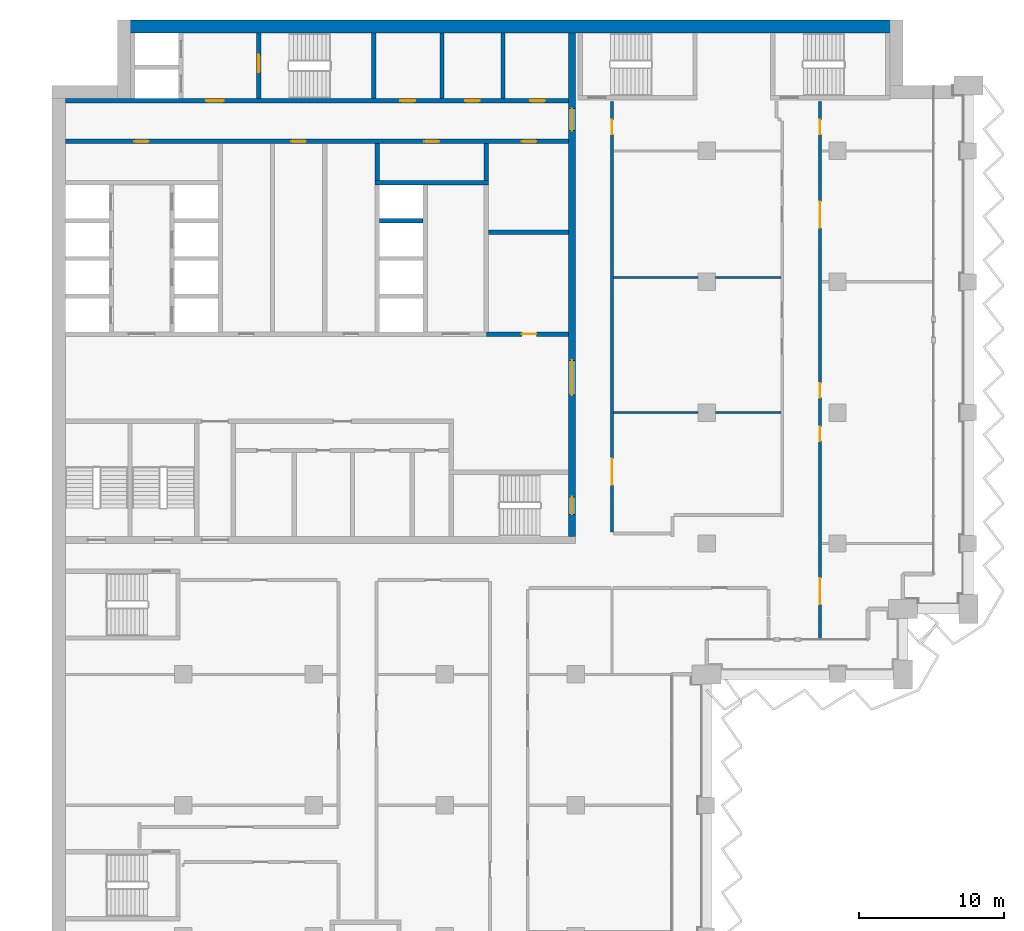
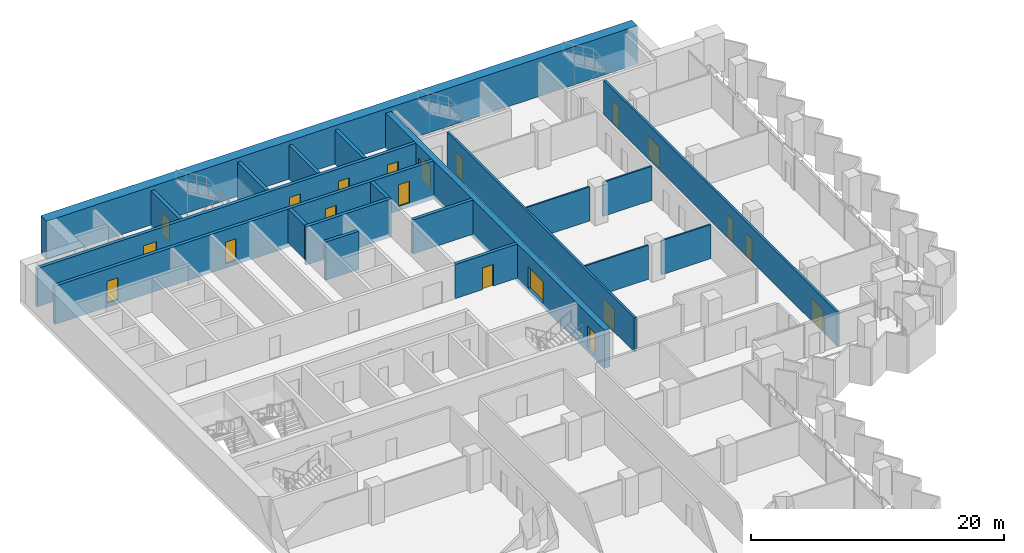
# One storey, part 14 of 23: 20 doors, 20 walls, 20 openings.
"""IFC4 building model written with IfcOpenShell, lengths in metres."""

from ifc_helpers import new_model, si_unit, direction, frame, frame_2d, origin, place, context, subcontext, project, spatial, rectangle, extrude, material, layer, layer_set, type_object, element, fill, save


model = new_model("IFC4")

# Units and contexts
model_context = context("Model", 3, precision=1e-05, world=origin(), true_north=direction((0.0, 1.0)))
body_context = subcontext(model_context, "Body", "Model", "MODEL_VIEW")
ifc_project = project(units=[si_unit("LENGTHUNIT", "METRE"), si_unit("AREAUNIT", "SQUARE_METRE"), si_unit("VOLUMEUNIT", "CUBIC_METRE"), si_unit("PLANEANGLEUNIT", "RADIAN"), si_unit("MASSUNIT", "GRAM", prefix="KILO")], contexts=[model_context])

# Site, building, storey
site_placement = place(None, origin())
site = spatial("IfcSite", under=ifc_project, at=site_placement, CompositionType="ELEMENT")
building_placement = place(site_placement, origin())
building = spatial("IfcBuilding", under=site, at=building_placement, Name="Hunhe Ridgeline Campus", CompositionType="ELEMENT")
storey_placement = place(building_placement, frame((0.0, 0.0, 144.89990234375)))
storey = spatial("IfcBuildingStorey", under=building, at=storey_placement, Name="L36", CompositionType="ELEMENT", Elevation=144.89990234375)

# Wall, opening, door
ifc_material_1 = material(Name="Masonry concrete blockwork", Category="masonry")
ifc_layer_1 = layer(ifc_material_1, 0.300048828125)
ifc_layer_set_1 = layer_set([ifc_layer_1], Name="Core room partition 300 concrete block")
wall_type_1 = type_object("IfcWallType", Name="Core room partition 300 concrete block", PredefinedType="PARTITIONING", material=ifc_layer_set_1)
wall_1_placement = place(storey_placement, frame((29.85009765625, 77.39990234375, 0.0), z_axis=(0.0, 0.0, 1.0), x_axis=(1.0, 0.0, 0.0)))
wall_1 = element("IfcWall", 1, at=wall_1_placement, inside=storey, type_object=wall_type_1, Name="L36 core partition 13", PredefinedType="PARTITIONING", context=body_context, shape_type="SweptSolid", body=[
    extrude(rectangle(XDim=5.64990234375, YDim=0.300048828125, at=frame_2d((2.824951171875, 0.0))), origin(), (0.0, 0.0, 1.0), 3.300048828125),
])
opening_1_placement = place(wall_1_placement, frame((2.449951171875, 0.0, 0.0)))
opening_1 = element("IfcOpeningElement", 2, at=opening_1_placement, cuts=wall_1, Name="Opening CD32", PredefinedType="OPENING", context=body_context, shape_type="SweptSolid", body=[
    extrude(rectangle(XDim=1.0, YDim=2.10009765625, at=frame_2d((0.5, 1.050048828125))), frame((0.0, 0.14990234375, 0.0), z_axis=(0.0, -1.0, 0.0), x_axis=(1.0, 0.0, 0.0)), (0.0, 0.0, 1.0), 0.300048828125),
])
ifc_material_2 = material(Name="Solid core timber door leaf", Category="wood")
door_type_1 = type_object("IfcDoorType", Name="Timber door 1000x2100", OperationType="SINGLE_SWING_LEFT", PredefinedType="DOOR", material=ifc_material_2)
door_1_placement = place(opening_1_placement, origin())
door_1 = element("IfcDoor", 3, at=door_1_placement, inside=storey, type_object=door_type_1, Name="L36 door ES0", OperationType="SINGLE_SWING_RIGHT", OverallHeight=2.10009765625, OverallWidth=1.0, PredefinedType="DOOR", context=body_context, shape_type="SweptSolid", body=[
    extrude(rectangle(XDim=1.0, YDim=2.10009765625, at=frame_2d((0.5, 1.050048828125))), frame((0.0, 0.02490234375, 0.0), z_axis=(0.0, -1.0, 0.0), x_axis=(1.0, 0.0, 0.0)), (0.0, 0.0, 1.0), 0.050048828125),
])
fill(opening_1, door_1)

# Walls
wall_2_placement = place(storey_placement, frame((30.0, 84.39990234375, 0.0), z_axis=(0.0, 0.0, 1.0), x_axis=(1.0, 0.0, 0.0)))
element("IfcWall", 4, at=wall_2_placement, inside=storey, type_object=wall_type_1, Name="L36 core partition 20", PredefinedType="PARTITIONING", context=body_context, shape_type="SweptSolid", body=[
    extrude(rectangle(XDim=5.5, YDim=0.300048828125, at=frame_2d((2.75, 0.0))), origin(), (0.0, 0.0, 1.0), 3.300048828125),
])
wall_3_placement = place(storey_placement, frame((22.35009765625, 87.949951171875, 0.0), z_axis=(0.0, 0.0, 1.0), x_axis=(0.0, 1.0, 0.0)))
element("IfcWall", 5, at=wall_3_placement, inside=storey, type_object=wall_type_1, Name="L36 core partition 50", PredefinedType="PARTITIONING", context=body_context, shape_type="SweptSolid", body=[
    extrude(rectangle(XDim=2.550048828125, YDim=0.300048828125, at=frame_2d((1.27490234375, 0.0))), origin(), (0.0, 0.0, 1.0), 3.300048828125),
])
wall_4_placement = place(storey_placement, frame((26.800048828125, 93.60009765625, 0.0), z_axis=(0.0, 0.0, 1.0), x_axis=(0.0, 1.0, 0.0)))
element("IfcWall", 6, at=wall_4_placement, inside=storey, type_object=wall_type_1, Name="L36 core partition 54", PredefinedType="PARTITIONING", context=body_context, shape_type="SweptSolid", body=[
    extrude(rectangle(XDim=4.5, YDim=0.300048828125, at=frame_2d((2.25, 0.0))), origin(), (0.0, 0.0, 1.0), 3.300048828125),
])
wall_5_placement = place(storey_placement, frame((29.85009765625, 87.949951171875, 0.0), z_axis=(0.0, 0.0, 1.0), x_axis=(0.0, 1.0, 0.0)))
element("IfcWall", 7, at=wall_5_placement, inside=storey, type_object=wall_type_1, Name="L36 core partition 58", PredefinedType="PARTITIONING", context=body_context, shape_type="SweptSolid", body=[
    extrude(rectangle(XDim=2.550048828125, YDim=0.300048828125, at=frame_2d((1.27490234375, 0.0))), origin(), (0.0, 0.0, 1.0), 3.300048828125),
])
wall_6_placement = place(storey_placement, frame((31.0, 93.60009765625, 0.0), z_axis=(0.0, 0.0, 1.0), x_axis=(0.0, 1.0, 0.0)))
element("IfcWall", 8, at=wall_6_placement, inside=storey, type_object=wall_type_1, Name="L36 core partition 59", PredefinedType="PARTITIONING", context=body_context, shape_type="SweptSolid", body=[
    extrude(rectangle(XDim=4.5, YDim=0.300048828125, at=frame_2d((2.25, 0.0))), origin(), (0.0, 0.0, 1.0), 3.300048828125),
])

# Wall, openings, doors
ifc_material_3 = material(Name="Concrete C70", Category="concrete")
ifc_layer_2 = layer(ifc_material_3, 0.5)
ifc_layer_set_2 = layer_set([ifc_layer_2], Name="Core wall 500 reinforced concrete C70")
wall_type_2 = type_object("IfcWallType", Name="Core wall 500 reinforced concrete C70", PredefinedType="SOLIDWALL", material=ifc_layer_set_2)
wall_7_placement = place(storey_placement, frame((35.75, 63.5, -0.39990234375), z_axis=(0.0, 0.0, 1.0), x_axis=(0.0, 1.0, 0.0)))
wall_7 = element("IfcWall", 9, at=wall_7_placement, inside=storey, type_object=wall_type_2, Name="L36 core wall 60", PredefinedType="SOLIDWALL", context=body_context, shape_type="SweptSolid", body=[
    extrude(rectangle(XDim=34.60009765625, YDim=0.5, at=frame_2d((17.300048828125, 0.0))), origin(), (0.0, 0.0, 1.0), 3.699951171875),
])
opening_2_placement = place(wall_7_placement, frame((9.699951171875, 0.0, 0.39990234375)))
opening_2 = element("IfcOpeningElement", 10, at=opening_2_placement, cuts=wall_7, Name="Opening CD4", PredefinedType="OPENING", context=body_context, shape_type="SweptSolid", body=[
    extrude(rectangle(XDim=2.39990234375, YDim=2.10009765625, at=frame_2d((1.199951171875, 1.050048828125))), frame((0.0, 0.25, 0.0), z_axis=(0.0, -1.0, 0.0), x_axis=(1.0, 0.0, 0.0)), (0.0, 0.0, 1.0), 0.5),
])
opening_3_placement = place(wall_7_placement, frame((27.89990234375, 0.0, 0.39990234375)))
opening_3 = element("IfcOpeningElement", 11, at=opening_3_placement, cuts=wall_7, Name="Opening CD5", PredefinedType="OPENING", context=body_context, shape_type="SweptSolid", body=[
    extrude(rectangle(XDim=1.5, YDim=2.10009765625, at=frame_2d((0.75, 1.050048828125))), frame((0.0, 0.25, 0.0), z_axis=(0.0, -1.0, 0.0), x_axis=(1.0, 0.0, 0.0)), (0.0, 0.0, 1.0), 0.5),
])
opening_4_placement = place(wall_7_placement, frame((1.5, 0.0, 0.39990234375)))
opening_4 = element("IfcOpeningElement", 12, at=opening_4_placement, cuts=wall_7, Name="Opening CD15", PredefinedType="OPENING", context=body_context, shape_type="SweptSolid", body=[
    extrude(rectangle(XDim=1.199951171875, YDim=2.10009765625, at=frame_2d((0.60009765625, 1.050048828125))), frame((0.0, 0.25, 0.0), z_axis=(0.0, -1.0, 0.0), x_axis=(1.0, 0.0, 0.0)), (0.0, 0.0, 1.0), 0.5),
])
ifc_material_4 = material(Name="Anodised aluminium and glass", Category="aluminium")
door_type_2 = type_object("IfcDoorType", Name="Glazed double door 2400x2100", OperationType="DOUBLE_DOOR_SINGLE_SWING", PredefinedType="DOOR", material=ifc_material_4)
door_2_placement = place(opening_2_placement, frame((2.39990234375, 0.0, 0.0), z_axis=(0.0, 0.0, 1.0), x_axis=(-1.0, 0.0, 0.0)))
door_2 = element("IfcDoor", 13, at=door_2_placement, inside=storey, type_object=door_type_2, Name="L36 door HALL-FLOOR", OperationType="DOUBLE_DOOR_SINGLE_SWING", OverallHeight=2.10009765625, OverallWidth=2.39990234375, PredefinedType="DOOR", context=body_context, shape_type="SweptSolid", body=[
    extrude(rectangle(XDim=2.39990234375, YDim=2.10009765625, at=frame_2d((1.199951171875, 1.050048828125))), frame((0.0, 0.02490234375, 0.0), z_axis=(0.0, -1.0, 0.0), x_axis=(1.0, 0.0, 0.0)), (0.0, 0.0, 1.0), 0.050048828125),
])
fill(opening_2, door_2)
ifc_material_5 = material(Name="Hollow metal fire door leaf")
door_type_3 = type_object("IfcDoorType", Name="Stair door 1200x2100 FD60", OperationType="SINGLE_SWING_LEFT", PredefinedType="DOOR", material=ifc_material_5)
door_3_placement = place(opening_4_placement, frame((1.199951171875, 0.0, 0.0), z_axis=(0.0, 0.0, 1.0), x_axis=(-1.0, 0.0, 0.0)))
door_3 = element("IfcDoor", 14, at=door_3_placement, inside=storey, type_object=door_type_3, Name="L36 door S2-FLOOR", OperationType="SINGLE_SWING_RIGHT", OverallHeight=2.10009765625, OverallWidth=1.199951171875, PredefinedType="DOOR", context=body_context, shape_type="SweptSolid", body=[
    extrude(rectangle(XDim=1.199951171875, YDim=2.10009765625, at=frame_2d((0.60009765625, 1.050048828125))), frame((0.0, 0.02490234375, 0.0), z_axis=(0.0, -1.0, 0.0), x_axis=(1.0, 0.0, 0.0)), (0.0, 0.0, 1.0), 0.050048828125),
])
fill(opening_4, door_3)
door_type_4 = type_object("IfcDoorType", Name="Timber door 1500x2100", OperationType="SINGLE_SWING_LEFT", PredefinedType="DOOR", material=ifc_material_2)
door_4_placement = place(opening_3_placement, frame((1.5, 0.0, 0.0), z_axis=(0.0, 0.0, 1.0), x_axis=(-1.0, 0.0, 0.0)))
door_4 = element("IfcDoor", 15, at=door_4_placement, inside=storey, type_object=door_type_4, Name="L36 door C1-FLOOR", OperationType="SINGLE_SWING_RIGHT", OverallHeight=2.10009765625, OverallWidth=1.5, PredefinedType="DOOR", context=body_context, shape_type="SweptSolid", body=[
    extrude(rectangle(XDim=1.5, YDim=2.10009765625, at=frame_2d((0.75, 1.050048828125))), frame((0.0, 0.02490234375, 0.0), z_axis=(0.0, -1.0, 0.0), x_axis=(1.0, 0.0, 0.0)), (0.0, 0.0, 1.0), 0.050048828125),
])
fill(opening_3, door_4)

ifc_material_6 = material(Name="Gypsum board partition")
ifc_layer_3 = layer(ifc_material_6, 0.199951171875)
ifc_layer_set_3 = layer_set([ifc_layer_3], Name="Corridor partition 200 gypsum board on steel studs")
wall_type_3 = type_object("IfcWallType", Name="Corridor partition 200 gypsum board on steel studs", PredefinedType="PARTITIONING", material=ifc_layer_set_3)
wall_8_placement = place(storey_placement, frame((38.5, 93.39599609375, 0.0), z_axis=(0.0, 0.0, 1.0), x_axis=(0.0, -1.0, 0.0)))
wall_8 = element("IfcWall", 16, at=wall_8_placement, inside=storey, type_object=wall_type_3, Name="F-L36-wall-070", PredefinedType="PARTITIONING", context=body_context, shape_type="SweptSolid", body=[
    extrude(rectangle(XDim=29.595947265625, YDim=0.199951171875, at=frame_2d((14.7978515625, 0.0))), origin(), (0.0, 0.0, 1.0), 3.300048828125),
])
opening_5_placement = place(wall_8_placement, frame((24.5576171875, 0.0, 0.0)))
opening_5 = element("IfcOpeningElement", 17, at=opening_5_placement, cuts=wall_8, Name="Opening RD2-028", PredefinedType="OPENING", context=body_context, shape_type="SweptSolid", body=[
    extrude(rectangle(XDim=1.800048828125, YDim=2.10009765625, at=frame_2d((0.89990234375, 1.050048828125))), frame((0.0, 0.10009765625, 0.0), z_axis=(0.0, -1.0, 0.0), x_axis=(1.0, 0.0, 0.0)), (0.0, 0.0, 1.0), 0.199951171875),
])
opening_6_placement = place(wall_8_placement, frame((1.255615234375, 0.0, 0.0)))
opening_6 = element("IfcOpeningElement", 18, at=opening_6_placement, cuts=wall_8, Name="Opening RD1-036", PredefinedType="OPENING", context=body_context, shape_type="SweptSolid", body=[
    extrude(rectangle(XDim=1.0, YDim=2.10009765625, at=frame_2d((0.5, 1.050048828125))), frame((0.0, 0.10009765625, 0.0), z_axis=(0.0, -1.0, 0.0), x_axis=(1.0, 0.0, 0.0)), (0.0, 0.0, 1.0), 0.199951171875),
])
ifc_material_7 = material(Name="Timber door leaf", Category="wood")
door_type_5 = type_object("IfcDoorType", Name="Double fire door 1800x2100 timber FD60", OperationType="DOUBLE_DOOR_SINGLE_SWING", PredefinedType="DOOR", material=ifc_material_7)
door_5_placement = place(opening_5_placement, origin())
door_5 = element("IfcDoor", 19, at=door_5_placement, inside=storey, type_object=door_type_5, Name="F-L36-door-028", OperationType="DOUBLE_DOOR_SINGLE_SWING", OverallHeight=2.10009765625, OverallWidth=1.800048828125, PredefinedType="DOOR", context=body_context, shape_type="SweptSolid", body=[
    extrude(rectangle(XDim=1.800048828125, YDim=2.10009765625, at=frame_2d((0.89990234375, 1.050048828125))), frame((0.0, 0.02490234375, 0.0), z_axis=(0.0, -1.0, 0.0), x_axis=(1.0, 0.0, 0.0)), (0.0, 0.0, 1.0), 0.050048828125),
])
fill(opening_5, door_5)
door_type_6 = type_object("IfcDoorType", Name="Single fire door 1000x2100 timber FD60", OperationType="NOTDEFINED", PredefinedType="DOOR", material=ifc_material_7)
door_6_placement = place(opening_6_placement, origin())
door_6 = element("IfcDoor", 20, at=door_6_placement, inside=storey, type_object=door_type_6, Name="F-L36-door-036", OperationType="SINGLE_SWING_LEFT", OverallHeight=2.10009765625, OverallWidth=1.0, PredefinedType="DOOR", context=body_context, shape_type="SweptSolid", body=[
    extrude(rectangle(XDim=1.0, YDim=2.10009765625, at=frame_2d((0.5, 1.050048828125))), frame((0.0, 0.02490234375, 0.0), z_axis=(0.0, -1.0, 0.0), x_axis=(1.0, 0.0, 0.0)), (0.0, 0.0, 1.0), 0.050048828125),
])
fill(opening_6, door_6)

wall_9_placement = place(storey_placement, frame((52.800048828125, 93.39599609375, 0.0), z_axis=(0.0, 0.0, 1.0), x_axis=(0.0, -1.0, 0.0)))
wall_9 = element("IfcWall", 21, at=wall_9_placement, inside=storey, type_object=wall_type_3, Name="F-L36-wall-076", PredefinedType="PARTITIONING", context=body_context, shape_type="SweptSolid", body=[
    extrude(rectangle(XDim=36.94091796875, YDim=0.199951171875, at=frame_2d((18.470458984375, 0.0))), origin(), (0.0, 0.0, 1.0), 3.300048828125),
])
opening_7_placement = place(wall_9_placement, frame((32.774169921875, 0.0, 0.0)))
opening_7 = element("IfcOpeningElement", 22, at=opening_7_placement, cuts=wall_9, Name="Opening RD2-024", PredefinedType="OPENING", context=body_context, shape_type="SweptSolid", body=[
    extrude(rectangle(XDim=1.800048828125, YDim=2.10009765625, at=frame_2d((0.89990234375, 1.050048828125))), frame((0.0, 0.10009765625, 0.0), z_axis=(0.0, -1.0, 0.0), x_axis=(1.0, 0.0, 0.0)), (0.0, 0.0, 1.0), 0.199951171875),
])
opening_8_placement = place(wall_9_placement, frame((22.3603515625, 0.0, 0.0)))
opening_8 = element("IfcOpeningElement", 23, at=opening_8_placement, cuts=wall_9, Name="Opening RD1-029", PredefinedType="OPENING", context=body_context, shape_type="SweptSolid", body=[
    extrude(rectangle(XDim=1.0, YDim=2.10009765625, at=frame_2d((0.5, 1.050048828125))), frame((0.0, 0.10009765625, 0.0), z_axis=(0.0, -1.0, 0.0), x_axis=(1.0, 0.0, 0.0)), (0.0, 0.0, 1.0), 0.199951171875),
])
opening_9_placement = place(wall_9_placement, frame((19.3603515625, 0.0, 0.0)))
opening_9 = element("IfcOpeningElement", 24, at=opening_9_placement, cuts=wall_9, Name="Opening RD1-030", PredefinedType="OPENING", context=body_context, shape_type="SweptSolid", body=[
    extrude(rectangle(XDim=1.0, YDim=2.10009765625, at=frame_2d((0.5, 1.050048828125))), frame((0.0, 0.10009765625, 0.0), z_axis=(0.0, -1.0, 0.0), x_axis=(1.0, 0.0, 0.0)), (0.0, 0.0, 1.0), 0.199951171875),
])
opening_10_placement = place(wall_9_placement, frame((6.890380859375, 0.0, 0.0)))
opening_10 = element("IfcOpeningElement", 25, at=opening_10_placement, cuts=wall_9, Name="Opening RD2-034", PredefinedType="OPENING", context=body_context, shape_type="SweptSolid", body=[
    extrude(rectangle(XDim=1.800048828125, YDim=2.10009765625, at=frame_2d((0.89990234375, 1.050048828125))), frame((0.0, 0.10009765625, 0.0), z_axis=(0.0, -1.0, 0.0), x_axis=(1.0, 0.0, 0.0)), (0.0, 0.0, 1.0), 0.199951171875),
])
opening_11_placement = place(wall_9_placement, frame((1.259033203125, 0.0, 0.0)))
opening_11 = element("IfcOpeningElement", 26, at=opening_11_placement, cuts=wall_9, Name="Opening RD1-037", PredefinedType="OPENING", context=body_context, shape_type="SweptSolid", body=[
    extrude(rectangle(XDim=1.0, YDim=2.10009765625, at=frame_2d((0.5, 1.050048828125))), frame((0.0, 0.10009765625, 0.0), z_axis=(0.0, -1.0, 0.0), x_axis=(1.0, 0.0, 0.0)), (0.0, 0.0, 1.0), 0.199951171875),
])
door_7_placement = place(opening_7_placement, origin())
door_7 = element("IfcDoor", 27, at=door_7_placement, inside=storey, type_object=door_type_5, Name="F-L36-door-024", OperationType="DOUBLE_DOOR_SINGLE_SWING", OverallHeight=2.10009765625, OverallWidth=1.800048828125, PredefinedType="DOOR", context=body_context, shape_type="SweptSolid", body=[
    extrude(rectangle(XDim=1.800048828125, YDim=2.10009765625, at=frame_2d((0.89990234375, 1.050048828125))), frame((0.0, 0.02490234375, 0.0), z_axis=(0.0, -1.0, 0.0), x_axis=(1.0, 0.0, 0.0)), (0.0, 0.0, 1.0), 0.050048828125),
])
fill(opening_7, door_7)
door_8_placement = place(opening_10_placement, origin())
door_8 = element("IfcDoor", 28, at=door_8_placement, inside=storey, type_object=door_type_5, Name="F-L36-door-034", OperationType="DOUBLE_DOOR_SINGLE_SWING", OverallHeight=2.10009765625, OverallWidth=1.800048828125, PredefinedType="DOOR", context=body_context, shape_type="SweptSolid", body=[
    extrude(rectangle(XDim=1.800048828125, YDim=2.10009765625, at=frame_2d((0.89990234375, 1.050048828125))), frame((0.0, 0.02490234375, 0.0), z_axis=(0.0, -1.0, 0.0), x_axis=(1.0, 0.0, 0.0)), (0.0, 0.0, 1.0), 0.050048828125),
])
fill(opening_10, door_8)
door_9_placement = place(opening_8_placement, frame((1.0, 0.0, 0.0), z_axis=(0.0, 0.0, 1.0), x_axis=(-1.0, 0.0, 0.0)))
door_9 = element("IfcDoor", 29, at=door_9_placement, inside=storey, type_object=door_type_6, Name="F-L36-door-029", OperationType="SINGLE_SWING_LEFT", OverallHeight=2.10009765625, OverallWidth=1.0, PredefinedType="DOOR", context=body_context, shape_type="SweptSolid", body=[
    extrude(rectangle(XDim=1.0, YDim=2.10009765625, at=frame_2d((0.5, 1.050048828125))), frame((0.0, 0.02490234375, 0.0), z_axis=(0.0, -1.0, 0.0), x_axis=(1.0, 0.0, 0.0)), (0.0, 0.0, 1.0), 0.050048828125),
])
fill(opening_8, door_9)
door_10_placement = place(opening_9_placement, frame((1.0, 0.0, 0.0), z_axis=(0.0, 0.0, 1.0), x_axis=(-1.0, 0.0, 0.0)))
door_10 = element("IfcDoor", 30, at=door_10_placement, inside=storey, type_object=door_type_6, Name="F-L36-door-030", OperationType="SINGLE_SWING_RIGHT", OverallHeight=2.10009765625, OverallWidth=1.0, PredefinedType="DOOR", context=body_context, shape_type="SweptSolid", body=[
    extrude(rectangle(XDim=1.0, YDim=2.10009765625, at=frame_2d((0.5, 1.050048828125))), frame((0.0, 0.02490234375, 0.0), z_axis=(0.0, -1.0, 0.0), x_axis=(1.0, 0.0, 0.0)), (0.0, 0.0, 1.0), 0.050048828125),
])
fill(opening_9, door_10)
door_11_placement = place(opening_11_placement, origin())
door_11 = element("IfcDoor", 31, at=door_11_placement, inside=storey, type_object=door_type_6, Name="F-L36-door-037", OperationType="SINGLE_SWING_RIGHT", OverallHeight=2.10009765625, OverallWidth=1.0, PredefinedType="DOOR", context=body_context, shape_type="SweptSolid", body=[
    extrude(rectangle(XDim=1.0, YDim=2.10009765625, at=frame_2d((0.5, 1.050048828125))), frame((0.0, 0.02490234375, 0.0), z_axis=(0.0, -1.0, 0.0), x_axis=(1.0, 0.0, 0.0)), (0.0, 0.0, 1.0), 0.050048828125),
])
fill(opening_11, door_11)

ifc_layer_4 = layer(ifc_material_3, 0.300048828125)
ifc_layer_set_4 = layer_set([ifc_layer_4], Name="Lobby wall 300 reinforced concrete C70")
wall_type_4 = type_object("IfcWallType", Name="Lobby wall 300 reinforced concrete C70", PredefinedType="SOLIDWALL", material=ifc_layer_set_4)
wall_10_placement = place(storey_placement, frame((0.89990234375, 90.64990234375, -0.39990234375), z_axis=(0.0, 0.0, 1.0), x_axis=(1.0, 0.0, 0.0)))
wall_10 = element("IfcWall", 32, at=wall_10_placement, inside=storey, type_object=wall_type_4, Name="L36 core wall 26", PredefinedType="SOLIDWALL", context=body_context, shape_type="SweptSolid", body=[
    extrude(rectangle(XDim=34.60009765625, YDim=0.300048828125, at=frame_2d((17.300048828125, 0.0))), origin(), (0.0, 0.0, 1.0), 3.699951171875),
])
opening_12_placement = place(wall_10_placement, frame((4.75, 0.0, 0.39990234375)))
opening_12 = element("IfcOpeningElement", 33, at=opening_12_placement, cuts=wall_10, Name="Opening CD26", PredefinedType="OPENING", context=body_context, shape_type="SweptSolid", body=[
    extrude(rectangle(XDim=1.0, YDim=2.10009765625, at=frame_2d((0.5, 1.050048828125))), frame((0.0, 0.14990234375, 0.0), z_axis=(0.0, -1.0, 0.0), x_axis=(1.0, 0.0, 0.0)), (0.0, 0.0, 1.0), 0.300048828125),
])
opening_13_placement = place(wall_10_placement, frame((24.699951171875, 0.0, 0.39990234375)))
opening_13 = element("IfcOpeningElement", 34, at=opening_13_placement, cuts=wall_10, Name="Opening CD27", PredefinedType="OPENING", context=body_context, shape_type="SweptSolid", body=[
    extrude(rectangle(XDim=1.0, YDim=2.10009765625, at=frame_2d((0.5, 1.050048828125))), frame((0.0, 0.14990234375, 0.0), z_axis=(0.0, -1.0, 0.0), x_axis=(1.0, 0.0, 0.0)), (0.0, 0.0, 1.0), 0.300048828125),
])
opening_14_placement = place(wall_10_placement, frame((15.550048828125, 0.0, 0.39990234375)))
opening_14 = element("IfcOpeningElement", 35, at=opening_14_placement, cuts=wall_10, Name="Opening CD29", PredefinedType="OPENING", context=body_context, shape_type="SweptSolid", body=[
    extrude(rectangle(XDim=1.0, YDim=2.10009765625, at=frame_2d((0.5, 1.050048828125))), frame((0.0, 0.14990234375, 0.0), z_axis=(0.0, -1.0, 0.0), x_axis=(1.0, 0.0, 0.0)), (0.0, 0.0, 1.0), 0.300048828125),
])
opening_15_placement = place(wall_10_placement, frame((31.39990234375, 0.0, 0.39990234375)))
opening_15 = element("IfcOpeningElement", 36, at=opening_15_placement, cuts=wall_10, Name="Opening CD33", PredefinedType="OPENING", context=body_context, shape_type="SweptSolid", body=[
    extrude(rectangle(XDim=1.0, YDim=2.10009765625, at=frame_2d((0.5, 1.050048828125))), frame((0.0, 0.14990234375, 0.0), z_axis=(0.0, -1.0, 0.0), x_axis=(1.0, 0.0, 0.0)), (0.0, 0.0, 1.0), 0.300048828125),
])
door_12_placement = place(opening_12_placement, frame((1.0, 0.0, 0.0), z_axis=(0.0, 0.0, 1.0), x_axis=(-1.0, 0.0, 0.0)))
door_12 = element("IfcDoor", 37, at=door_12_placement, inside=storey, type_object=door_type_1, Name="L36 door NR-0", OperationType="SINGLE_SWING_LEFT", OverallHeight=2.10009765625, OverallWidth=1.0, PredefinedType="DOOR", context=body_context, shape_type="SweptSolid", body=[
    extrude(rectangle(XDim=1.0, YDim=2.10009765625, at=frame_2d((0.5, 1.050048828125))), frame((0.0, 0.02490234375, 0.0), z_axis=(0.0, -1.0, 0.0), x_axis=(1.0, 0.0, 0.0)), (0.0, 0.0, 1.0), 0.050048828125),
])
fill(opening_12, door_12)
door_13_placement = place(opening_13_placement, frame((1.0, 0.0, 0.0), z_axis=(0.0, 0.0, 1.0), x_axis=(-1.0, 0.0, 0.0)))
door_13 = element("IfcDoor", 38, at=door_13_placement, inside=storey, type_object=door_type_1, Name="L36 door NR-1", OperationType="SINGLE_SWING_RIGHT", OverallHeight=2.10009765625, OverallWidth=1.0, PredefinedType="DOOR", context=body_context, shape_type="SweptSolid", body=[
    extrude(rectangle(XDim=1.0, YDim=2.10009765625, at=frame_2d((0.5, 1.050048828125))), frame((0.0, 0.02490234375, 0.0), z_axis=(0.0, -1.0, 0.0), x_axis=(1.0, 0.0, 0.0)), (0.0, 0.0, 1.0), 0.050048828125),
])
fill(opening_13, door_13)
door_14_placement = place(opening_14_placement, frame((1.0, 0.0, 0.0), z_axis=(0.0, 0.0, 1.0), x_axis=(-1.0, 0.0, 0.0)))
door_14 = element("IfcDoor", 39, at=door_14_placement, inside=storey, type_object=door_type_1, Name="L36 door VD-HR1", OperationType="SINGLE_SWING_RIGHT", OverallHeight=2.10009765625, OverallWidth=1.0, PredefinedType="DOOR", context=body_context, shape_type="SweptSolid", body=[
    extrude(rectangle(XDim=1.0, YDim=2.10009765625, at=frame_2d((0.5, 1.050048828125))), frame((0.0, 0.02490234375, 0.0), z_axis=(0.0, -1.0, 0.0), x_axis=(1.0, 0.0, 0.0)), (0.0, 0.0, 1.0), 0.050048828125),
])
fill(opening_14, door_14)
door_15_placement = place(opening_15_placement, frame((1.0, 0.0, 0.0), z_axis=(0.0, 0.0, 1.0), x_axis=(-1.0, 0.0, 0.0)))
door_15 = element("IfcDoor", 40, at=door_15_placement, inside=storey, type_object=door_type_1, Name="L36 door ES1", OperationType="SINGLE_SWING_RIGHT", OverallHeight=2.10009765625, OverallWidth=1.0, PredefinedType="DOOR", context=body_context, shape_type="SweptSolid", body=[
    extrude(rectangle(XDim=1.0, YDim=2.10009765625, at=frame_2d((0.5, 1.050048828125))), frame((0.0, 0.02490234375, 0.0), z_axis=(0.0, -1.0, 0.0), x_axis=(1.0, 0.0, 0.0)), (0.0, 0.0, 1.0), 0.050048828125),
])
fill(opening_15, door_15)

# Walls
ifc_layer_5 = layer(ifc_material_6, 0.14990234375)
ifc_layer_set_5 = layer_set([ifc_layer_5], Name="Room partition 150 gypsum board on steel studs")
wall_type_5 = type_object("IfcWallType", Name="Room partition 150 gypsum board on steel studs", PredefinedType="PARTITIONING", material=ifc_layer_set_5)
wall_11_placement = place(storey_placement, frame((38.60009765625, 72.0, 0.0), z_axis=(0.0, 0.0, 1.0), x_axis=(1.0, 0.0, 0.0)))
element("IfcWall", 41, at=wall_11_placement, inside=storey, type_object=wall_type_5, Name="F-L36-wall-048", PredefinedType="PARTITIONING", context=body_context, shape_type="SweptSolid", body=[
    extrude(rectangle(XDim=5.7998046875, YDim=0.14990234375, at=frame_2d((2.89990234375, 0.0))), origin(), (0.0, 0.0, 1.0), 3.300048828125),
])
wall_12_placement = place(storey_placement, frame((45.60009765625, 72.0, 0.0), z_axis=(0.0, 0.0, 1.0), x_axis=(1.0, 0.0, 0.0)))
element("IfcWall", 42, at=wall_12_placement, inside=storey, type_object=wall_type_5, Name="F-L36-wall-049", PredefinedType="PARTITIONING", context=body_context, shape_type="SweptSolid", body=[
    extrude(rectangle(XDim=4.5, YDim=0.14990234375, at=frame_2d((2.25, 0.0))), origin(), (0.0, 0.0, 1.0), 3.300048828125),
])
wall_13_placement = place(storey_placement, frame((38.60009765625, 81.300048828125, 0.0), z_axis=(0.0, 0.0, 1.0), x_axis=(1.0, 0.0, 0.0)))
element("IfcWall", 43, at=wall_13_placement, inside=storey, type_object=wall_type_5, Name="F-L36-wall-052", PredefinedType="PARTITIONING", context=body_context, shape_type="SweptSolid", body=[
    extrude(rectangle(XDim=5.7998046875, YDim=0.14990234375, at=frame_2d((2.89990234375, 0.0))), origin(), (0.0, 0.0, 1.0), 3.300048828125),
])
wall_14_placement = place(storey_placement, frame((45.60009765625, 81.300048828125, 0.0), z_axis=(0.0, 0.0, 1.0), x_axis=(1.0, 0.0, 0.0)))
element("IfcWall", 44, at=wall_14_placement, inside=storey, type_object=wall_type_5, Name="F-L36-wall-053", PredefinedType="PARTITIONING", context=body_context, shape_type="SweptSolid", body=[
    extrude(rectangle(XDim=4.5, YDim=0.14990234375, at=frame_2d((2.25, 0.0))), origin(), (0.0, 0.0, 1.0), 3.300048828125),
])
ifc_layer_6 = layer(ifc_material_3, 0.300048828125)
ifc_layer_set_6 = layer_set([ifc_layer_6], Name="Shaft wall 300 reinforced concrete C70")
wall_type_6 = type_object("IfcWallType", Name="Shaft wall 300 reinforced concrete C70", PredefinedType="SOLIDWALL", material=ifc_layer_set_6)
wall_15_placement = place(storey_placement, frame((22.5, 85.199951171875, -0.39990234375), z_axis=(0.0, 0.0, 1.0), x_axis=(1.0, 0.0, 0.0)))
element("IfcWall", 45, at=wall_15_placement, inside=storey, type_object=wall_type_6, Name="L36 core wall 23", PredefinedType="SOLIDWALL", context=body_context, shape_type="SweptSolid", body=[
    extrude(rectangle(XDim=3.0, YDim=0.300048828125, at=frame_2d((1.5, 0.0))), origin(), (0.0, 0.0, 1.0), 3.699951171875),
])
wall_16_placement = place(storey_placement, frame((22.199951171875, 87.800048828125, -0.39990234375), z_axis=(0.0, 0.0, 1.0), x_axis=(1.0, 0.0, 0.0)))
element("IfcWall", 46, at=wall_16_placement, inside=storey, type_object=wall_type_6, Name="L36 core wall 25", PredefinedType="SOLIDWALL", context=body_context, shape_type="SweptSolid", body=[
    extrude(rectangle(XDim=7.800048828125, YDim=0.300048828125, at=frame_2d((3.89990234375, 0.0))), origin(), (0.0, 0.0, 1.0), 3.699951171875),
])

# Wall, openings, doors
wall_17_placement = place(storey_placement, frame((0.89990234375, 93.449951171875, -0.39990234375), z_axis=(0.0, 0.0, 1.0), x_axis=(1.0, 0.0, 0.0)))
wall_17 = element("IfcWall", 47, at=wall_17_placement, inside=storey, type_object=wall_type_6, Name="L36 core wall 27", PredefinedType="SOLIDWALL", context=body_context, shape_type="SweptSolid", body=[
    extrude(rectangle(XDim=34.60009765625, YDim=0.300048828125, at=frame_2d((17.300048828125, 0.0))), origin(), (0.0, 0.0, 1.0), 3.699951171875),
])
opening_16_placement = place(wall_17_placement, frame((9.699951171875, 0.0, 0.39990234375)))
opening_16 = element("IfcOpeningElement", 48, at=opening_16_placement, cuts=wall_17, Name="Opening CD3", PredefinedType="OPENING", context=body_context, shape_type="SweptSolid", body=[
    extrude(rectangle(XDim=1.199951171875, YDim=2.10009765625, at=frame_2d((0.60009765625, 1.050048828125))), frame((0.0, 0.14990234375, 0.0), z_axis=(0.0, -1.0, 0.0), x_axis=(1.0, 0.0, 0.0)), (0.0, 0.0, 1.0), 0.300048828125),
])
opening_17_placement = place(wall_17_placement, frame((23.050048828125, 0.0, 0.39990234375)))
opening_17 = element("IfcOpeningElement", 49, at=opening_17_placement, cuts=wall_17, Name="Opening CD34", PredefinedType="OPENING", context=body_context, shape_type="SweptSolid", body=[
    extrude(rectangle(XDim=1.0, YDim=2.10009765625, at=frame_2d((0.5, 1.050048828125))), frame((0.0, 0.14990234375, 0.0), z_axis=(0.0, -1.0, 0.0), x_axis=(1.0, 0.0, 0.0)), (0.0, 0.0, 1.0), 0.300048828125),
])
opening_18_placement = place(wall_17_placement, frame((27.5, 0.0, 0.39990234375)))
opening_18 = element("IfcOpeningElement", 50, at=opening_18_placement, cuts=wall_17, Name="Opening CD35", PredefinedType="OPENING", context=body_context, shape_type="SweptSolid", body=[
    extrude(rectangle(XDim=1.0, YDim=2.10009765625, at=frame_2d((0.5, 1.050048828125))), frame((0.0, 0.14990234375, 0.0), z_axis=(0.0, -1.0, 0.0), x_axis=(1.0, 0.0, 0.0)), (0.0, 0.0, 1.0), 0.300048828125),
])
opening_19_placement = place(wall_17_placement, frame((31.97509765625, 0.0, 0.39990234375)))
opening_19 = element("IfcOpeningElement", 51, at=opening_19_placement, cuts=wall_17, Name="Opening CD36", PredefinedType="OPENING", context=body_context, shape_type="SweptSolid", body=[
    extrude(rectangle(XDim=1.0, YDim=2.10009765625, at=frame_2d((0.5, 1.050048828125))), frame((0.0, 0.14990234375, 0.0), z_axis=(0.0, -1.0, 0.0), x_axis=(1.0, 0.0, 0.0)), (0.0, 0.0, 1.0), 0.300048828125),
])
door_type_7 = type_object("IfcDoorType", Name="Lobby door 1200x2100 FD60", OperationType="SINGLE_SWING_LEFT", PredefinedType="DOOR", material=ifc_material_5)
door_16_placement = place(opening_16_placement, frame((1.199951171875, 0.0, 0.0), z_axis=(0.0, 0.0, 1.0), x_axis=(-1.0, 0.0, 0.0)))
door_16 = element("IfcDoor", 52, at=door_16_placement, inside=storey, type_object=door_type_7, Name="L36 door FF-C1", OperationType="SINGLE_SWING_LEFT", OverallHeight=2.10009765625, OverallWidth=1.199951171875, PredefinedType="DOOR", context=body_context, shape_type="SweptSolid", body=[
    extrude(rectangle(XDim=1.199951171875, YDim=2.10009765625, at=frame_2d((0.60009765625, 1.050048828125))), frame((0.0, 0.02490234375, 0.0), z_axis=(0.0, -1.0, 0.0), x_axis=(1.0, 0.0, 0.0)), (0.0, 0.0, 1.0), 0.050048828125),
])
fill(opening_16, door_16)
door_17_placement = place(opening_17_placement, origin())
door_17 = element("IfcDoor", 53, at=door_17_placement, inside=storey, type_object=door_type_1, Name="L36 door NB0", OperationType="SINGLE_SWING_RIGHT", OverallHeight=2.10009765625, OverallWidth=1.0, PredefinedType="DOOR", context=body_context, shape_type="SweptSolid", body=[
    extrude(rectangle(XDim=1.0, YDim=2.10009765625, at=frame_2d((0.5, 1.050048828125))), frame((0.0, 0.02490234375, 0.0), z_axis=(0.0, -1.0, 0.0), x_axis=(1.0, 0.0, 0.0)), (0.0, 0.0, 1.0), 0.050048828125),
])
fill(opening_17, door_17)
door_18_placement = place(opening_18_placement, origin())
door_18 = element("IfcDoor", 54, at=door_18_placement, inside=storey, type_object=door_type_1, Name="L36 door NB1", OperationType="SINGLE_SWING_LEFT", OverallHeight=2.10009765625, OverallWidth=1.0, PredefinedType="DOOR", context=body_context, shape_type="SweptSolid", body=[
    extrude(rectangle(XDim=1.0, YDim=2.10009765625, at=frame_2d((0.5, 1.050048828125))), frame((0.0, 0.02490234375, 0.0), z_axis=(0.0, -1.0, 0.0), x_axis=(1.0, 0.0, 0.0)), (0.0, 0.0, 1.0), 0.050048828125),
])
fill(opening_18, door_18)
door_19_placement = place(opening_19_placement, origin())
door_19 = element("IfcDoor", 55, at=door_19_placement, inside=storey, type_object=door_type_1, Name="L36 door NB2", OperationType="SINGLE_SWING_RIGHT", OverallHeight=2.10009765625, OverallWidth=1.0, PredefinedType="DOOR", context=body_context, shape_type="SweptSolid", body=[
    extrude(rectangle(XDim=1.0, YDim=2.10009765625, at=frame_2d((0.5, 1.050048828125))), frame((0.0, 0.02490234375, 0.0), z_axis=(0.0, -1.0, 0.0), x_axis=(1.0, 0.0, 0.0)), (0.0, 0.0, 1.0), 0.050048828125),
])
fill(opening_19, door_19)

# Wall
ifc_layer_7 = layer(ifc_material_3, 0.89990234375)
ifc_layer_set_7 = layer_set([ifc_layer_7], Name="Spine wall 900 Concrete C70")
wall_type_7 = type_object("IfcWallType", Name="Spine wall 900 Concrete C70", PredefinedType="SHEAR", material=ifc_layer_set_7)
wall_18_placement = place(storey_placement, frame((58.5, 98.550048828125, 0.0), z_axis=(0.0, 0.0, 1.0), x_axis=(-1.0, 0.0, 0.0)))
element("IfcWall", 56, at=wall_18_placement, inside=storey, type_object=wall_type_7, Name="Spine wall SW2-4 L36", PredefinedType="SHEAR", context=body_context, shape_type="SweptSolid", body=[
    extrude(rectangle(XDim=54.0, YDim=0.89990234375, at=frame_2d((27.0, 0.0))), origin(), (0.0, 0.0, 1.0), 3.7001953125),
])

# Wall, opening, door
ifc_layer_8 = layer(ifc_material_3, 0.300048828125)
ifc_layer_set_8 = layer_set([ifc_layer_8], Name="Stair wall 300 reinforced concrete C70")
wall_type_8 = type_object("IfcWallType", Name="Stair wall 300 reinforced concrete C70", PredefinedType="SOLIDWALL", material=ifc_layer_set_8)
wall_19_placement = place(storey_placement, frame((14.199951171875, 93.60009765625, -0.39990234375), z_axis=(0.0, 0.0, 1.0), x_axis=(0.0, 1.0, 0.0)))
wall_19 = element("IfcWall", 57, at=wall_19_placement, inside=storey, type_object=wall_type_8, Name="L36 core wall 42", PredefinedType="SOLIDWALL", context=body_context, shape_type="SweptSolid", body=[
    extrude(rectangle(XDim=4.5, YDim=0.300048828125, at=frame_2d((2.25, 0.0))), origin(), (0.0, 0.0, 1.0), 3.699951171875),
])
opening_20_placement = place(wall_19_placement, frame((1.800048828125, 0.0, 0.39990234375)))
opening_20 = element("IfcOpeningElement", 58, at=opening_20_placement, cuts=wall_19, Name="Opening CD16", PredefinedType="OPENING", context=body_context, shape_type="SweptSolid", body=[
    extrude(rectangle(XDim=1.199951171875, YDim=2.10009765625, at=frame_2d((0.60009765625, 1.050048828125))), frame((0.0, 0.14990234375, 0.0), z_axis=(0.0, -1.0, 0.0), x_axis=(1.0, 0.0, 0.0)), (0.0, 0.0, 1.0), 0.300048828125),
])
door_20_placement = place(opening_20_placement, origin())
door_20 = element("IfcDoor", 59, at=door_20_placement, inside=storey, type_object=door_type_3, Name="L36 door S1-FF", OperationType="SINGLE_SWING_LEFT", OverallHeight=2.10009765625, OverallWidth=1.199951171875, PredefinedType="DOOR", context=body_context, shape_type="SweptSolid", body=[
    extrude(rectangle(XDim=1.199951171875, YDim=2.10009765625, at=frame_2d((0.60009765625, 1.050048828125))), frame((0.0, 0.02490234375, 0.0), z_axis=(0.0, -1.0, 0.0), x_axis=(1.0, 0.0, 0.0)), (0.0, 0.0, 1.0), 0.050048828125),
])
fill(opening_20, door_20)

# Wall
wall_20_placement = place(storey_placement, frame((22.10009765625, 93.60009765625, -0.39990234375), z_axis=(0.0, 0.0, 1.0), x_axis=(0.0, 1.0, 0.0)))
element("IfcWall", 60, at=wall_20_placement, inside=storey, type_object=wall_type_8, Name="L36 core wall 48", PredefinedType="SOLIDWALL", context=body_context, shape_type="SweptSolid", body=[
    extrude(rectangle(XDim=4.5, YDim=0.300048828125, at=frame_2d((2.25, 0.0))), origin(), (0.0, 0.0, 1.0), 3.699951171875),
])

save(model, "model.ifc")
